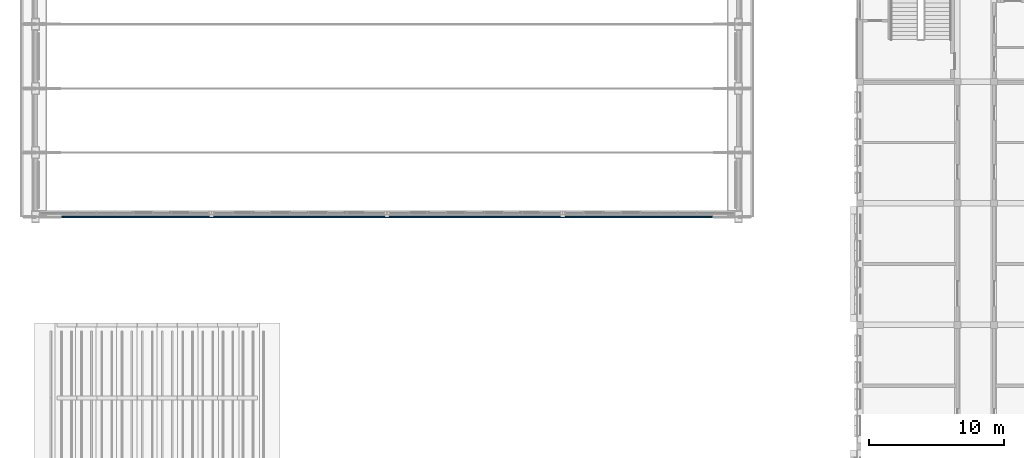
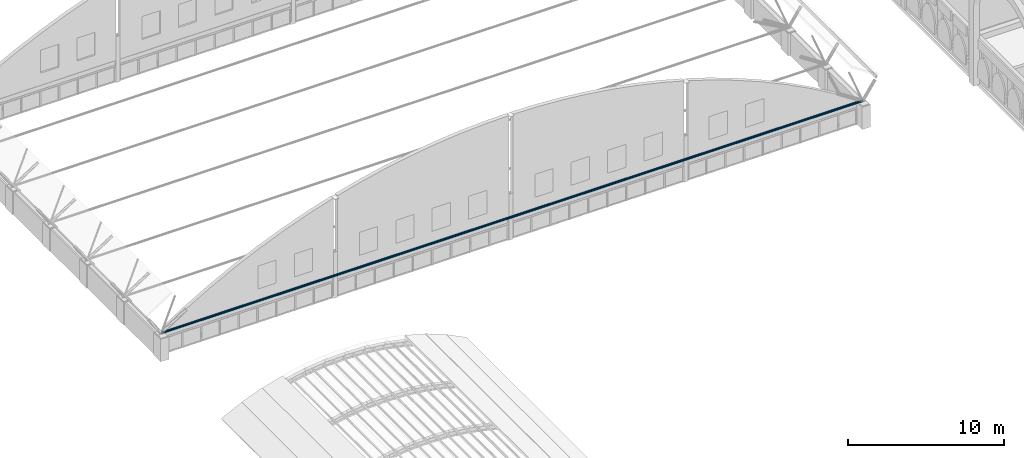
# One storey, part 11 of 65: 1 member.
"""IFC4 building model written with IfcOpenShell, lengths in metres."""

from ifc_helpers import new_model, si_unit, direction, frame, origin, origin_2d, place, context, subcontext, project, spatial, hollow_circle, extrude, material, material_profile, profile_set, type_object, element, save


model = new_model("IFC4")

# Units and contexts
model_context = context("Model", 3, precision=1e-05, world=origin(), true_north=direction((0.0, 1.0)))
body_context = subcontext(model_context, "Body", "Model", "MODEL_VIEW")
ifc_project = project(units=[si_unit("LENGTHUNIT", "METRE"), si_unit("AREAUNIT", "SQUARE_METRE"), si_unit("VOLUMEUNIT", "CUBIC_METRE"), si_unit("PLANEANGLEUNIT", "RADIAN"), si_unit("MASSUNIT", "GRAM", prefix="KILO")], contexts=[model_context])

# Site, building, storey
site_placement = place(None, origin())
site = spatial("IfcSite", under=ifc_project, at=site_placement, CompositionType="ELEMENT")
building_placement = place(site_placement, origin())
building = spatial("IfcBuilding", under=site, at=building_placement, Name="Elbe Cascade School", CompositionType="ELEMENT")
storey_placement = place(building_placement, frame((0.0, 0.0, 11.699951171875)))
storey = spatial("IfcBuildingStorey", under=building, at=storey_placement, Name="L03", CompositionType="ELEMENT", Elevation=11.699951171875)

# Member
ifc_material = material(Name="Steel S355J2H", Category="steel")
ifc_material_profile = material_profile(ifc_material, hollow_circle(Radius=0.084228515625, WallThickness=0.010009765625, at=origin_2d()), Name="CHS 168.3x10")
ifc_profile_set = profile_set([ifc_material_profile], Name="Steel S355J2H")
member_type = type_object("IfcMemberType", Name="Hall rib tie CHS 168.3x10", PredefinedType="MEMBER", material=ifc_profile_set)
member_placement = place(storey_placement, frame((8.0, 41.0, 1.89208984375), z_axis=(1.0, 0.0, 0.0), x_axis=(0.0, 1.0, 0.0)))
element("IfcMember", 1, at=member_placement, inside=storey, type_object=member_type, Name="Hall rib tie CHS 168.3x10 M6", PredefinedType="MEMBER", context=body_context, shape_type="SweptSolid", body=[
    extrude(hollow_circle(Radius=0.084228515625, WallThickness=0.010009765625, at=origin_2d()), origin(), (0.0, 0.0, 1.0), 52.0),
])

save(model, "model.ifc")
